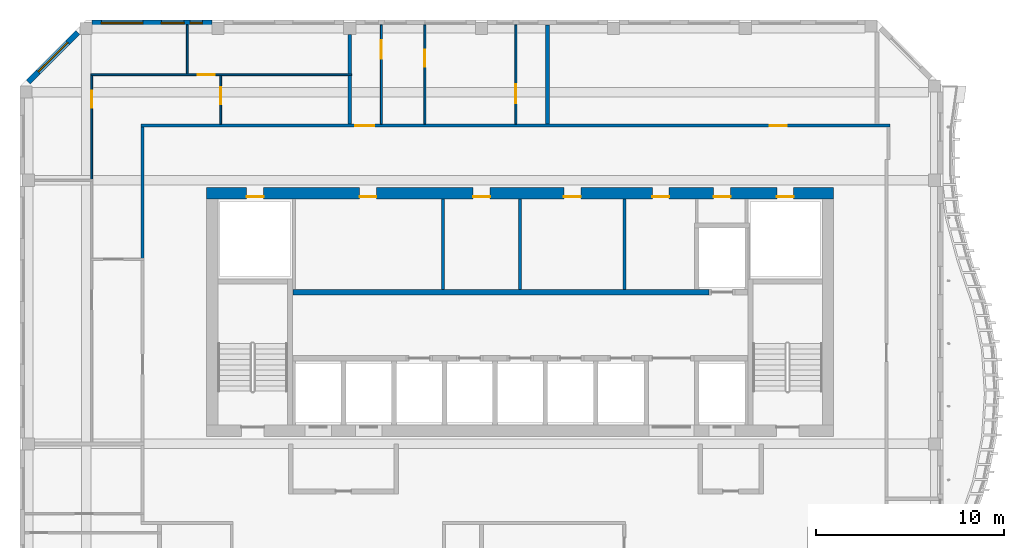
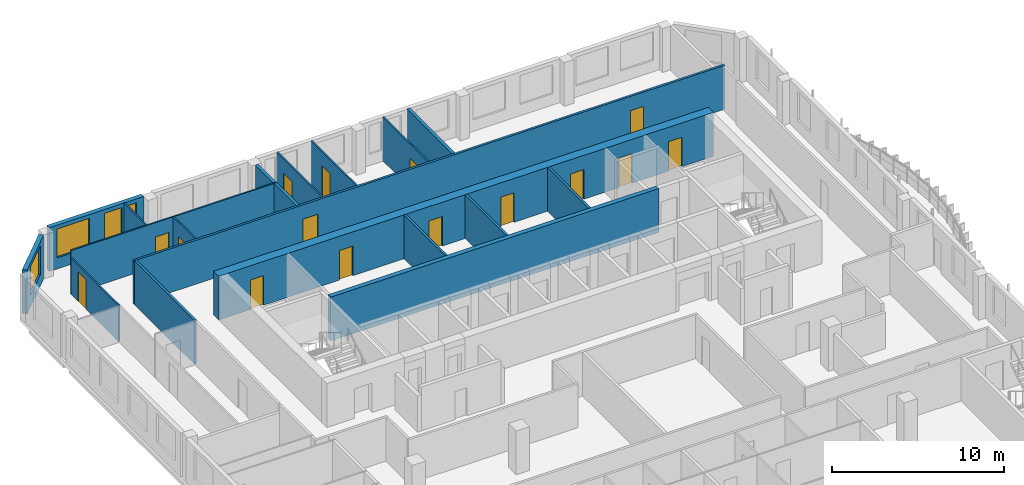
# One storey, part 7 of 18: 19 walls, 15 doors, 4 windows, 19 openings.
"""IFC4 building model written with IfcOpenShell, lengths in metres."""

from ifc_helpers import new_model, si_unit, direction, frame, frame_2d, origin, place, context, subcontext, project, spatial, rectangle, extrude, source, transform, mapped, material, layer, layer_set, type_object, element, fill, save


model = new_model("IFC4")

# Units and contexts
model_context = context("Model", 3, precision=1e-05, world=origin(), true_north=direction((0.0, 1.0)))
body_context = subcontext(model_context, "Body", "Model", "MODEL_VIEW")
ifc_project = project(units=[si_unit("LENGTHUNIT", "METRE"), si_unit("AREAUNIT", "SQUARE_METRE"), si_unit("VOLUMEUNIT", "CUBIC_METRE"), si_unit("PLANEANGLEUNIT", "RADIAN"), si_unit("MASSUNIT", "GRAM", prefix="KILO")], contexts=[model_context])

# Site, building, storey
site_placement = place(None, origin())
site = spatial("IfcSite", under=ifc_project, at=site_placement, CompositionType="ELEMENT")
building_placement = place(site_placement, origin())
building = spatial("IfcBuilding", under=site, at=building_placement, Name="Kilnfold Tower and Market Hall", CompositionType="ELEMENT")
storey_placement = place(building_placement, frame((0.0, 0.0, 280.60009765625)))
storey = spatial("IfcBuildingStorey", under=building, at=storey_placement, Name="L69", CompositionType="ELEMENT", Elevation=280.60009765625)

# Wall
ifc_material_1 = material(Name="Gypsum board on steel studs", Category="steel")
ifc_layer_1 = layer(ifc_material_1, 0.14990234375)
ifc_layer_set_1 = layer_set([ifc_layer_1], Name="Gypsum board on steel studs")
wall_type_1 = type_object("IfcWallType", Name="WALL CORRIDOR 150", PredefinedType="PARTITIONING", material=ifc_layer_set_1)
wall_1_placement = place(storey_placement, frame((-19.0, 17.840087890625, 0.0), z_axis=(0.0, 0.0, 1.0), x_axis=(0.0, 1.0, 0.0)))
element("IfcWall", 1, at=wall_1_placement, inside=storey, type_object=wall_type_1, Name="Partition LY42.21", PredefinedType="PARTITIONING", context=body_context, shape_type="SweptSolid", body=[
    extrude(rectangle(XDim=6.98486328125, YDim=0.14990234375, at=frame_2d((3.492431640625, 0.0))), origin(), (0.0, 0.0, 1.0), 3.119873046875),
])

# Wall, openings, doors
wall_2_placement = place(storey_placement, frame((-19.074951171875, 24.89990234375, 0.0), z_axis=(0.0, 0.0, 1.0), x_axis=(1.0, 0.0, 0.0)))
wall_2 = element("IfcWall", 2, at=wall_2_placement, inside=storey, type_object=wall_type_1, Name="Partition LY42.22", PredefinedType="PARTITIONING", context=body_context, shape_type="SweptSolid", body=[
    extrude(rectangle(XDim=39.75, YDim=0.14990234375, at=frame_2d((19.875, 0.0))), origin(), (0.0, 0.0, 1.0), 3.119873046875),
])
opening_1_placement = place(wall_2_placement, frame((11.364990234375, 0.0, 0.0)))
opening_1 = element("IfcOpeningElement", 3, at=opening_1_placement, cuts=wall_2, Name="Opening D1", PredefinedType="OPENING", context=body_context, shape_type="SweptSolid", body=[
    extrude(rectangle(XDim=1.0, YDim=2.10009765625, at=frame_2d((0.5, 1.050048828125))), frame((0.0, 0.0849609375, 0.0), z_axis=(0.0, -1.0, 0.0), x_axis=(1.0, 0.0, 0.0)), (0.0, 0.0, 1.0), 0.169921875),
])
opening_2_placement = place(wall_2_placement, frame((33.37890625, 0.0, 0.0)))
opening_2 = element("IfcOpeningElement", 4, at=opening_2_placement, cuts=wall_2, Name="Opening D2", PredefinedType="OPENING", context=body_context, shape_type="SweptSolid", body=[
    extrude(rectangle(XDim=0.89990234375, YDim=2.10009765625, at=frame_2d((0.449951171875, 1.050048828125))), frame((0.0, 0.0849609375, 0.0), z_axis=(0.0, -1.0, 0.0), x_axis=(1.0, 0.0, 0.0)), (0.0, 0.0, 1.0), 0.169921875),
])
ifc_material_2 = material(Name="Timber veneer door leaf in steel frame", Category="steel")
door_type_1 = type_object("IfcDoorType", Name="DOOR ENTRY 1000 X2100", OperationType="NOTDEFINED", PredefinedType="DOOR", material=ifc_material_2)
door_1_placement = place(opening_1_placement, origin())
door_1 = element("IfcDoor", 5, at=door_1_placement, inside=storey, type_object=door_type_1, Name="Door D1", OperationType="SINGLE_SWING_LEFT", OverallHeight=2.10009765625, OverallWidth=1.0, PredefinedType="DOOR", context=body_context, shape_type="SweptSolid", body=[
    extrude(rectangle(XDim=1.0, YDim=2.10009765625, at=frame_2d((0.5, 1.050048828125))), frame((0.0, 0.02490234375, 0.0), z_axis=(0.0, -1.0, 0.0), x_axis=(1.0, 0.0, 0.0)), (0.0, 0.0, 1.0), 0.050048828125),
])
fill(opening_1, door_1)
ifc_material_3 = material(Name="Timber veneer door leaf in steel frame", Category="steel")
door_type_2 = type_object("IfcDoorType", Name="DOOR ROOM 900 X2100", OperationType="NOTDEFINED", PredefinedType="DOOR", material=ifc_material_3)
door_2_placement = place(opening_2_placement, origin())
door_2 = element("IfcDoor", 6, at=door_2_placement, inside=storey, type_object=door_type_2, Name="Door D2", OperationType="SINGLE_SWING_LEFT", OverallHeight=2.10009765625, OverallWidth=0.89990234375, PredefinedType="DOOR", context=body_context, shape_type="SweptSolid", body=[
    extrude(rectangle(XDim=0.89990234375, YDim=2.10009765625, at=frame_2d((0.449951171875, 1.050048828125))), frame((0.0, 0.02490234375, 0.0), z_axis=(0.0, -1.0, 0.0), x_axis=(1.0, 0.0, 0.0)), (0.0, 0.0, 1.0), 0.050048828125),
])
fill(opening_2, door_2)

# Wall, opening, door
ifc_material_4 = material(Name="Gypsum board on steel studs", Category="steel")
ifc_layer_2 = layer(ifc_material_4, 0.10009765625)
ifc_layer_set_2 = layer_set([ifc_layer_2], Name="Gypsum board on steel studs")
wall_type_2 = type_object("IfcWallType", Name="WALL PARTITION 100", PredefinedType="PARTITIONING", material=ifc_layer_set_2)
wall_3_placement = place(storey_placement, frame((-6.320068359375, 24.97705078125, 0.0), z_axis=(0.0, 0.0, 1.0), x_axis=(0.0, 1.0, 0.0)))
wall_3 = element("IfcWall", 7, at=wall_3_placement, inside=storey, type_object=wall_type_2, Name="Partition LY42.66", PredefinedType="PARTITIONING", context=body_context, shape_type="SweptSolid", body=[
    extrude(rectangle(XDim=5.27294921875, YDim=0.10009765625, at=frame_2d((2.636474609375, 0.0))), origin(), (0.0, 0.0, 1.0), 3.119873046875),
])
opening_3_placement = place(wall_3_placement, frame((3.4609375, 0.0, 0.0)))
opening_3 = element("IfcOpeningElement", 8, at=opening_3_placement, cuts=wall_3, Name="Opening D1", PredefinedType="OPENING", context=body_context, shape_type="SweptSolid", body=[
    extrude(rectangle(XDim=1.0, YDim=2.10009765625, at=frame_2d((0.5, 1.050048828125))), frame((0.0, 0.06005859375, 0.0), z_axis=(0.0, -1.0, 0.0), x_axis=(1.0, 0.0, 0.0)), (0.0, 0.0, 1.0), 0.1201171875),
])
door_3_placement = place(opening_3_placement, origin())
door_3 = element("IfcDoor", 9, at=door_3_placement, inside=storey, type_object=door_type_1, Name="Door D1", OperationType="SINGLE_SWING_LEFT", OverallHeight=2.10009765625, OverallWidth=1.0, PredefinedType="DOOR", context=body_context, shape_type="SweptSolid", body=[
    extrude(rectangle(XDim=1.0, YDim=2.10009765625, at=frame_2d((0.5, 1.050048828125))), frame((0.0, 0.02490234375, 0.0), z_axis=(0.0, -1.0, 0.0), x_axis=(1.0, 0.0, 0.0)), (0.0, 0.0, 1.0), 0.050048828125),
])
fill(opening_3, door_3)

wall_4_placement = place(storey_placement, frame((-4.010009765625, 24.97705078125, 0.0), z_axis=(0.0, 0.0, 1.0), x_axis=(0.0, 1.0, 0.0)))
wall_4 = element("IfcWall", 10, at=wall_4_placement, inside=storey, type_object=wall_type_2, Name="Partition LY42.69", PredefinedType="PARTITIONING", context=body_context, shape_type="SweptSolid", body=[
    extrude(rectangle(XDim=5.27294921875, YDim=0.10009765625, at=frame_2d((2.636474609375, 0.0))), origin(), (0.0, 0.0, 1.0), 3.119873046875),
])
opening_4_placement = place(wall_4_placement, frame((3.052001953125, 0.0, 0.0)))
opening_4 = element("IfcOpeningElement", 11, at=opening_4_placement, cuts=wall_4, Name="Opening D2", PredefinedType="OPENING", context=body_context, shape_type="SweptSolid", body=[
    extrude(rectangle(XDim=0.89990234375, YDim=2.10009765625, at=frame_2d((0.449951171875, 1.050048828125))), frame((0.0, 0.06005859375, 0.0), z_axis=(0.0, -1.0, 0.0), x_axis=(1.0, 0.0, 0.0)), (0.0, 0.0, 1.0), 0.1201171875),
])
door_4_placement = place(opening_4_placement, origin())
door_4 = element("IfcDoor", 12, at=door_4_placement, inside=storey, type_object=door_type_2, Name="Door D2", OperationType="SINGLE_SWING_LEFT", OverallHeight=2.10009765625, OverallWidth=0.89990234375, PredefinedType="DOOR", context=body_context, shape_type="SweptSolid", body=[
    extrude(rectangle(XDim=0.89990234375, YDim=2.10009765625, at=frame_2d((0.449951171875, 1.050048828125))), frame((0.0, 0.02490234375, 0.0), z_axis=(0.0, -1.0, 0.0), x_axis=(1.0, 0.0, 0.0)), (0.0, 0.0, 1.0), 0.050048828125),
])
fill(opening_4, door_4)

wall_5_placement = place(storey_placement, frame((0.820068359375, 24.97705078125, 0.0), z_axis=(0.0, 0.0, 1.0), x_axis=(0.0, 1.0, 0.0)))
wall_5 = element("IfcWall", 13, at=wall_5_placement, inside=storey, type_object=wall_type_2, Name="Partition LY42.70", PredefinedType="PARTITIONING", context=body_context, shape_type="SweptSolid", body=[
    extrude(rectangle(XDim=5.27294921875, YDim=0.10009765625, at=frame_2d((2.636474609375, 0.0))), origin(), (0.0, 0.0, 1.0), 3.119873046875),
])
opening_5_placement = place(wall_5_placement, frame((1.116943359375, 0.0, 0.0)))
opening_5 = element("IfcOpeningElement", 14, at=opening_5_placement, cuts=wall_5, Name="Opening D1", PredefinedType="OPENING", context=body_context, shape_type="SweptSolid", body=[
    extrude(rectangle(XDim=1.0, YDim=2.10009765625, at=frame_2d((0.5, 1.050048828125))), frame((0.0, 0.06005859375, 0.0), z_axis=(0.0, -1.0, 0.0), x_axis=(1.0, 0.0, 0.0)), (0.0, 0.0, 1.0), 0.1201171875),
])
door_5_placement = place(opening_5_placement, origin())
door_5 = element("IfcDoor", 15, at=door_5_placement, inside=storey, type_object=door_type_1, Name="Door D1", OperationType="SINGLE_SWING_RIGHT", OverallHeight=2.10009765625, OverallWidth=1.0, PredefinedType="DOOR", context=body_context, shape_type="SweptSolid", body=[
    extrude(rectangle(XDim=1.0, YDim=2.10009765625, at=frame_2d((0.5, 1.050048828125))), frame((0.0, 0.02490234375, 0.0), z_axis=(0.0, -1.0, 0.0), x_axis=(1.0, 0.0, 0.0)), (0.0, 0.0, 1.0), 0.050048828125),
])
fill(opening_5, door_5)

wall_6_placement = place(storey_placement, frame((-14.85009765625, 24.97705078125, 0.0), z_axis=(0.0, 0.0, 1.0), x_axis=(0.0, 1.0, 0.0)))
wall_6 = element("IfcWall", 16, at=wall_6_placement, inside=storey, type_object=wall_type_2, Name="Partition LY42.73", PredefinedType="PARTITIONING", context=body_context, shape_type="SweptSolid", body=[
    extrude(rectangle(XDim=2.572998046875, YDim=0.10009765625, at=frame_2d((1.28662109375, 0.0))), origin(), (0.0, 0.0, 1.0), 3.119873046875),
])
opening_6_placement = place(wall_6_placement, frame((1.049072265625, 0.0, 0.0)))
opening_6 = element("IfcOpeningElement", 17, at=opening_6_placement, cuts=wall_6, Name="Opening D2", PredefinedType="OPENING", context=body_context, shape_type="SweptSolid", body=[
    extrude(rectangle(XDim=0.89990234375, YDim=2.10009765625, at=frame_2d((0.449951171875, 1.050048828125))), frame((0.0, 0.06005859375, 0.0), z_axis=(0.0, -1.0, 0.0), x_axis=(1.0, 0.0, 0.0)), (0.0, 0.0, 1.0), 0.1201171875),
])
door_6_placement = place(opening_6_placement, origin())
door_6 = element("IfcDoor", 18, at=door_6_placement, inside=storey, type_object=door_type_2, Name="Door D2", OperationType="SINGLE_SWING_LEFT", OverallHeight=2.10009765625, OverallWidth=0.89990234375, PredefinedType="DOOR", context=body_context, shape_type="SweptSolid", body=[
    extrude(rectangle(XDim=0.89990234375, YDim=2.10009765625, at=frame_2d((0.449951171875, 1.050048828125))), frame((0.0, 0.02490234375, 0.0), z_axis=(0.0, -1.0, 0.0), x_axis=(1.0, 0.0, 0.0)), (0.0, 0.0, 1.0), 0.050048828125),
])
fill(opening_6, door_6)

wall_7_placement = place(storey_placement, frame((-21.699951171875, 22.0400390625, 0.0), z_axis=(0.0, 0.0, 1.0), x_axis=(0.0, 1.0, 0.0)))
wall_7 = element("IfcWall", 19, at=wall_7_placement, inside=storey, type_object=wall_type_2, Name="Partition LY42.75", PredefinedType="PARTITIONING", context=body_context, shape_type="SweptSolid", body=[
    extrude(rectangle(XDim=5.510009765625, YDim=0.10009765625, at=frame_2d((2.7548828125, 0.0))), origin(), (0.0, 0.0, 1.0), 2.56982421875),
])
opening_7_placement = place(wall_7_placement, frame((3.80908203125, 0.0, 0.0)))
opening_7 = element("IfcOpeningElement", 20, at=opening_7_placement, cuts=wall_7, Name="Opening D2", PredefinedType="OPENING", context=body_context, shape_type="SweptSolid", body=[
    extrude(rectangle(XDim=0.89990234375, YDim=2.10009765625, at=frame_2d((0.449951171875, 1.050048828125))), frame((0.0, 0.06005859375, 0.0), z_axis=(0.0, -1.0, 0.0), x_axis=(1.0, 0.0, 0.0)), (0.0, 0.0, 1.0), 0.1201171875),
])
door_7_placement = place(opening_7_placement, origin())
door_7 = element("IfcDoor", 21, at=door_7_placement, inside=storey, type_object=door_type_2, Name="Door D2", OperationType="SINGLE_SWING_LEFT", OverallHeight=2.10009765625, OverallWidth=0.89990234375, PredefinedType="DOOR", context=body_context, shape_type="SweptSolid", body=[
    extrude(rectangle(XDim=0.89990234375, YDim=2.10009765625, at=frame_2d((0.449951171875, 1.050048828125))), frame((0.0, 0.02490234375, 0.0), z_axis=(0.0, -1.0, 0.0), x_axis=(1.0, 0.0, 0.0)), (0.0, 0.0, 1.0), 0.050048828125),
])
fill(opening_7, door_7)

wall_8_placement = place(storey_placement, frame((-21.75, 27.60009765625, 0.0), z_axis=(0.0, 0.0, 1.0), x_axis=(1.0, 0.0, 0.0)))
wall_8 = element("IfcWall", 22, at=wall_8_placement, inside=storey, type_object=wall_type_2, Name="Partition LY42.76", PredefinedType="PARTITIONING", context=body_context, shape_type="SweptSolid", body=[
    extrude(rectangle(XDim=13.85009765625, YDim=0.10009765625, at=frame_2d((6.925048828125, 0.0))), origin(), (0.0, 0.0, 1.0), 3.119873046875),
])
opening_8_placement = place(wall_8_placement, frame((5.678955078125, 0.0, 0.0)))
opening_8 = element("IfcOpeningElement", 23, at=opening_8_placement, cuts=wall_8, Name="Opening D2", PredefinedType="OPENING", context=body_context, shape_type="SweptSolid", body=[
    extrude(rectangle(XDim=0.89990234375, YDim=2.10009765625, at=frame_2d((0.449951171875, 1.050048828125))), frame((0.0, 0.06005859375, 0.0), z_axis=(0.0, -1.0, 0.0), x_axis=(1.0, 0.0, 0.0)), (0.0, 0.0, 1.0), 0.1201171875),
])
door_8_placement = place(opening_8_placement, origin())
door_8 = element("IfcDoor", 24, at=door_8_placement, inside=storey, type_object=door_type_2, Name="Door D2", OperationType="SINGLE_SWING_RIGHT", OverallHeight=2.10009765625, OverallWidth=0.89990234375, PredefinedType="DOOR", context=body_context, shape_type="SweptSolid", body=[
    extrude(rectangle(XDim=0.89990234375, YDim=2.10009765625, at=frame_2d((0.449951171875, 1.050048828125))), frame((0.0, 0.02490234375, 0.0), z_axis=(0.0, -1.0, 0.0), x_axis=(1.0, 0.0, 0.0)), (0.0, 0.0, 1.0), 0.050048828125),
])
fill(opening_8, door_8)

# Walls
wall_9_placement = place(storey_placement, frame((-16.625, 27.652099609375, 0.0), z_axis=(0.0, 0.0, 1.0), x_axis=(0.0, 1.0, 0.0)))
element("IfcWall", 25, at=wall_9_placement, inside=storey, type_object=wall_type_2, Name="Partition LY42.78", PredefinedType="PARTITIONING", context=body_context, shape_type="SweptSolid", body=[
    extrude(rectangle(XDim=2.597900390625, YDim=0.10009765625, at=frame_2d((1.298828125, 0.0))), origin(), (0.0, 0.0, 1.0), 3.119873046875),
])
ifc_material_5 = material(Name="Gypsum board on steel studs", Category="steel")
ifc_layer_3 = layer(ifc_material_5, 0.199951171875)
ifc_layer_set_3 = layer_set([ifc_layer_3], Name="Gypsum board on steel studs")
wall_type_3 = type_object("IfcWallType", Name="WALL PARTY 200", PredefinedType="PARTITIONING", material=ifc_layer_set_3)
wall_10_placement = place(storey_placement, frame((2.5, 30.25, 0.0), z_axis=(0.0, 0.0, 1.0), x_axis=(0.0, -1.0, 0.0)))
element("IfcWall", 26, at=wall_10_placement, inside=storey, type_object=wall_type_3, Name="Partition LY42.65", PredefinedType="PARTITIONING", context=body_context, shape_type="SweptSolid", body=[
    extrude(rectangle(XDim=5.27294921875, YDim=0.199951171875, at=frame_2d((2.636474609375, 0.0))), origin(), (0.0, 0.0, 1.0), 3.119873046875),
])
wall_11_placement = place(storey_placement, frame((-8.0, 24.97705078125, 0.0), z_axis=(0.0, 0.0, 1.0), x_axis=(0.0, 1.0, 0.0)))
element("IfcWall", 27, at=wall_11_placement, inside=storey, type_object=wall_type_3, Name="Partition LY42.67", PredefinedType="PARTITIONING", context=body_context, shape_type="SweptSolid", body=[
    extrude(rectangle(XDim=2.5830078125, YDim=0.199951171875, at=frame_2d((1.29150390625, 0.0))), origin(), (0.0, 0.0, 1.0), 3.119873046875),
])
wall_12_placement = place(storey_placement, frame((-8.0, 27.64208984375, 0.0), z_axis=(0.0, 0.0, 1.0), x_axis=(0.0, 1.0, 0.0)))
element("IfcWall", 28, at=wall_12_placement, inside=storey, type_object=wall_type_3, Name="Partition LY42.68", PredefinedType="PARTITIONING", context=body_context, shape_type="SweptSolid", body=[
    extrude(rectangle(XDim=2.0830078125, YDim=0.199951171875, at=frame_2d((1.04150390625, 0.0))), origin(), (0.0, 0.0, 1.0), 3.119873046875),
])
ifc_material_6 = material(Name="Concrete C50", Category="concrete")
ifc_layer_4 = layer(ifc_material_6, 0.300048828125)
ifc_layer_set_4 = layer_set([ifc_layer_4], Name="Concrete C50")
wall_type_4 = type_object("IfcWallType", Name="CORE WALL 300 C50", PredefinedType="SHEAR", material=ifc_layer_set_4)
shared_shape_1 = source(origin(), body_context, "Body", "SweptSolid", [
    extrude(rectangle(XDim=22.080078125, YDim=0.300048828125, at=frame_2d((11.0400390625, 0.0))), origin(), (0.0, 0.0, 1.0), 3.119873046875),
])
wall_13_placement = place(storey_placement, frame((-11.010009765625, 16.050048828125, 0.0), z_axis=(0.0, 0.0, 1.0), x_axis=(1.0, 0.0, 0.0)))
element("IfcWall", 29, at=wall_13_placement, inside=storey, type_object=wall_type_4, Name="Core spine wall", PredefinedType="SHEAR", context=body_context, shape_type="MappedRepresentation", body=[
    mapped(shared_shape_1, transform((0.0, 0.0, 0.0))),
])

# Wall, openings, doors
ifc_material_7 = material(Name="Concrete C50", Category="concrete")
ifc_layer_5 = layer(ifc_material_7, 0.60009765625)
ifc_layer_set_5 = layer_set([ifc_layer_5], Name="Concrete C50")
wall_type_5 = type_object("IfcWallType", Name="CORE WALL 600 C50", PredefinedType="SHEAR", material=ifc_layer_set_5)
shared_shape_2 = source(origin(), body_context, "Body", "SweptSolid", [
    extrude(rectangle(XDim=33.300048828125, YDim=0.60009765625, at=frame_2d((16.64990234375, 0.0))), origin(), (0.0, 0.0, 1.0), 3.119873046875),
])
wall_14_placement = place(storey_placement, frame((-15.60009765625, 21.300048828125, 0.0), z_axis=(0.0, 0.0, 1.0), x_axis=(1.0, 0.0, 0.0)))
wall_14 = element("IfcWall", 30, at=wall_14_placement, inside=storey, type_object=wall_type_5, Name="Core outer wall north", PredefinedType="SHEAR", context=body_context, shape_type="MappedRepresentation", body=[
    mapped(shared_shape_2, transform((0.0, 0.0, 0.0))),
])
opening_9_placement = place(wall_14_placement, frame((8.119873046875, 0.0, 0.0)))
opening_9 = element("IfcOpeningElement", 31, at=opening_9_placement, cuts=wall_14, Name="Opening KD1", PredefinedType="OPENING", context=body_context, shape_type="SweptSolid", body=[
    extrude(rectangle(XDim=0.89990234375, YDim=2.10009765625, at=frame_2d((0.449951171875, 1.050048828125))), frame((0.0, 0.31005859375, 0.0), z_axis=(0.0, -1.0, 0.0), x_axis=(1.0, 0.0, 0.0)), (0.0, 0.0, 1.0), 0.6201171875),
])
opening_10_placement = place(wall_14_placement, frame((14.14990234375, 0.0, 0.0)))
opening_10 = element("IfcOpeningElement", 32, at=opening_10_placement, cuts=wall_14, Name="Opening KD1", PredefinedType="OPENING", context=body_context, shape_type="SweptSolid", body=[
    extrude(rectangle(XDim=0.89990234375, YDim=2.10009765625, at=frame_2d((0.449951171875, 1.050048828125))), frame((0.0, 0.31005859375, 0.0), z_axis=(0.0, -1.0, 0.0), x_axis=(1.0, 0.0, 0.0)), (0.0, 0.0, 1.0), 0.6201171875),
])
opening_11_placement = place(wall_14_placement, frame((18.973876953125, 0.0, 0.0)))
opening_11 = element("IfcOpeningElement", 33, at=opening_11_placement, cuts=wall_14, Name="Opening KD1", PredefinedType="OPENING", context=body_context, shape_type="SweptSolid", body=[
    extrude(rectangle(XDim=0.89990234375, YDim=2.10009765625, at=frame_2d((0.449951171875, 1.050048828125))), frame((0.0, 0.31005859375, 0.0), z_axis=(0.0, -1.0, 0.0), x_axis=(1.0, 0.0, 0.0)), (0.0, 0.0, 1.0), 0.6201171875),
])
opening_12_placement = place(wall_14_placement, frame((23.663818359375, 0.0, 0.0)))
opening_12 = element("IfcOpeningElement", 34, at=opening_12_placement, cuts=wall_14, Name="Opening KD1", PredefinedType="OPENING", context=body_context, shape_type="SweptSolid", body=[
    extrude(rectangle(XDim=0.89990234375, YDim=2.10009765625, at=frame_2d((0.449951171875, 1.050048828125))), frame((0.0, 0.31005859375, 0.0), z_axis=(0.0, -1.0, 0.0), x_axis=(1.0, 0.0, 0.0)), (0.0, 0.0, 1.0), 0.6201171875),
])
opening_13_placement = place(wall_14_placement, frame((26.919921875, 0.0, 0.0)))
opening_13 = element("IfcOpeningElement", 35, at=opening_13_placement, cuts=wall_14, Name="Opening KD1", PredefinedType="OPENING", context=body_context, shape_type="SweptSolid", body=[
    extrude(rectangle(XDim=0.89990234375, YDim=2.10009765625, at=frame_2d((0.449951171875, 1.050048828125))), frame((0.0, 0.31005859375, 0.0), z_axis=(0.0, -1.0, 0.0), x_axis=(1.0, 0.0, 0.0)), (0.0, 0.0, 1.0), 0.6201171875),
])
opening_14_placement = place(wall_14_placement, frame((2.125, 0.0, 0.0)))
opening_14 = element("IfcOpeningElement", 36, at=opening_14_placement, cuts=wall_14, Name="Opening KD1", PredefinedType="OPENING", context=body_context, shape_type="SweptSolid", body=[
    extrude(rectangle(XDim=0.89990234375, YDim=2.10009765625, at=frame_2d((0.449951171875, 1.050048828125))), frame((0.0, 0.31005859375, 0.0), z_axis=(0.0, -1.0, 0.0), x_axis=(1.0, 0.0, 0.0)), (0.0, 0.0, 1.0), 0.6201171875),
])
opening_15_placement = place(wall_14_placement, frame((30.27490234375, 0.0, 0.0)))
opening_15 = element("IfcOpeningElement", 37, at=opening_15_placement, cuts=wall_14, Name="Opening KD1", PredefinedType="OPENING", context=body_context, shape_type="SweptSolid", body=[
    extrude(rectangle(XDim=0.89990234375, YDim=2.10009765625, at=frame_2d((0.449951171875, 1.050048828125))), frame((0.0, 0.31005859375, 0.0), z_axis=(0.0, -1.0, 0.0), x_axis=(1.0, 0.0, 0.0)), (0.0, 0.0, 1.0), 0.6201171875),
])
ifc_material_8 = material(Name="Steel door set with fire-resisting leaf", Category="steel")
door_type_3 = type_object("IfcDoorType", Name="SERVICE DOOR 900X2100", OperationType="NOTDEFINED", PredefinedType="DOOR", material=ifc_material_8)
door_9_placement = place(opening_9_placement, origin())
door_9 = element("IfcDoor", 38, at=door_9_placement, inside=storey, type_object=door_type_3, Name="Core service door", OperationType="SINGLE_SWING_RIGHT", OverallHeight=2.10009765625, OverallWidth=0.89990234375, PredefinedType="DOOR", context=body_context, shape_type="SweptSolid", body=[
    extrude(rectangle(XDim=0.89990234375, YDim=2.10009765625, at=frame_2d((0.449951171875, 1.050048828125))), frame((0.0, -0.15478515625, 0.0), z_axis=(0.0, -1.0, 0.0), x_axis=(1.0, 0.0, 0.0)), (0.0, 0.0, 1.0), 0.050048828125),
])
fill(opening_9, door_9)
door_10_placement = place(opening_10_placement, origin())
door_10 = element("IfcDoor", 39, at=door_10_placement, inside=storey, type_object=door_type_3, Name="Core service door", OperationType="SINGLE_SWING_LEFT", OverallHeight=2.10009765625, OverallWidth=0.89990234375, PredefinedType="DOOR", context=body_context, shape_type="SweptSolid", body=[
    extrude(rectangle(XDim=0.89990234375, YDim=2.10009765625, at=frame_2d((0.449951171875, 1.050048828125))), frame((0.0, -0.15478515625, 0.0), z_axis=(0.0, -1.0, 0.0), x_axis=(1.0, 0.0, 0.0)), (0.0, 0.0, 1.0), 0.050048828125),
])
fill(opening_10, door_10)
door_11_placement = place(opening_11_placement, origin())
door_11 = element("IfcDoor", 40, at=door_11_placement, inside=storey, type_object=door_type_3, Name="Core service door", OperationType="SINGLE_SWING_RIGHT", OverallHeight=2.10009765625, OverallWidth=0.89990234375, PredefinedType="DOOR", context=body_context, shape_type="SweptSolid", body=[
    extrude(rectangle(XDim=0.89990234375, YDim=2.10009765625, at=frame_2d((0.449951171875, 1.050048828125))), frame((0.0, -0.15478515625, 0.0), z_axis=(0.0, -1.0, 0.0), x_axis=(1.0, 0.0, 0.0)), (0.0, 0.0, 1.0), 0.050048828125),
])
fill(opening_11, door_11)
door_12_placement = place(opening_12_placement, origin())
door_12 = element("IfcDoor", 41, at=door_12_placement, inside=storey, type_object=door_type_3, Name="Core service door", OperationType="SINGLE_SWING_LEFT", OverallHeight=2.10009765625, OverallWidth=0.89990234375, PredefinedType="DOOR", context=body_context, shape_type="SweptSolid", body=[
    extrude(rectangle(XDim=0.89990234375, YDim=2.10009765625, at=frame_2d((0.449951171875, 1.050048828125))), frame((0.0, -0.15478515625, 0.0), z_axis=(0.0, -1.0, 0.0), x_axis=(1.0, 0.0, 0.0)), (0.0, 0.0, 1.0), 0.050048828125),
])
fill(opening_12, door_12)
door_13_placement = place(opening_13_placement, origin())
door_13 = element("IfcDoor", 42, at=door_13_placement, inside=storey, type_object=door_type_3, Name="Core service door", OperationType="SINGLE_SWING_RIGHT", OverallHeight=2.10009765625, OverallWidth=0.89990234375, PredefinedType="DOOR", context=body_context, shape_type="SweptSolid", body=[
    extrude(rectangle(XDim=0.89990234375, YDim=2.10009765625, at=frame_2d((0.449951171875, 1.050048828125))), frame((0.0, -0.15478515625, 0.0), z_axis=(0.0, -1.0, 0.0), x_axis=(1.0, 0.0, 0.0)), (0.0, 0.0, 1.0), 0.050048828125),
])
fill(opening_13, door_13)
door_14_placement = place(opening_14_placement, origin())
door_14 = element("IfcDoor", 43, at=door_14_placement, inside=storey, type_object=door_type_3, Name="Electrical riser access door", OperationType="SINGLE_SWING_LEFT", OverallHeight=2.10009765625, OverallWidth=0.89990234375, PredefinedType="DOOR", context=body_context, shape_type="SweptSolid", body=[
    extrude(rectangle(XDim=0.89990234375, YDim=2.10009765625, at=frame_2d((0.449951171875, 1.050048828125))), frame((0.0, -0.15478515625, 0.0), z_axis=(0.0, -1.0, 0.0), x_axis=(1.0, 0.0, 0.0)), (0.0, 0.0, 1.0), 0.050048828125),
])
fill(opening_14, door_14)
door_15_placement = place(opening_15_placement, origin())
door_15 = element("IfcDoor", 44, at=door_15_placement, inside=storey, type_object=door_type_3, Name="Mechanical riser access door", OperationType="SINGLE_SWING_RIGHT", OverallHeight=2.10009765625, OverallWidth=0.89990234375, PredefinedType="DOOR", context=body_context, shape_type="SweptSolid", body=[
    extrude(rectangle(XDim=0.89990234375, YDim=2.10009765625, at=frame_2d((0.449951171875, 1.050048828125))), frame((0.0, -0.15478515625, 0.0), z_axis=(0.0, -1.0, 0.0), x_axis=(1.0, 0.0, 0.0)), (0.0, 0.0, 1.0), 0.050048828125),
])
fill(opening_15, door_15)

# Wall, openings, windows
ifc_material_9 = material(Name="Precast concrete C50/60", Category="concrete")
ifc_layer_6 = layer(ifc_material_9, 0.300048828125)
ifc_layer_set_6 = layer_set([ifc_layer_6], Name="Precast concrete C50/60")
wall_type_6 = type_object("IfcWallType", Name="PRECAST WALL 300", PredefinedType="SOLIDWALL", material=ifc_layer_set_6)
shared_shape_3 = source(origin(), body_context, "Body", "SweptSolid", [
    extrude(rectangle(XDim=6.35009765625, YDim=0.300048828125, at=frame_2d((3.175048828125, 0.0))), origin(), (0.0, 0.0, 1.0), 3.119873046875),
])
wall_15_placement = place(storey_placement, frame((-15.324951171875, 30.35009765625, 0.0), z_axis=(0.0, 0.0, 1.0), x_axis=(-1.0, 0.0, 0.0)))
wall_15 = element("IfcWall", 45, at=wall_15_placement, inside=storey, type_object=wall_type_6, Name="External wall L69 N", PredefinedType="SOLIDWALL", context=body_context, shape_type="MappedRepresentation", body=[
    mapped(shared_shape_3, transform((0.0, 0.0, 0.0))),
])
opening_16_placement = place(wall_15_placement, frame((0.493896484375, 0.0, 0.800048828125)))
opening_16 = element("IfcOpeningElement", 46, at=opening_16_placement, cuts=wall_15, Name="Opening W3-E", PredefinedType="OPENING", context=body_context, shape_type="SweptSolid", body=[
    extrude(rectangle(XDim=0.64990234375, YDim=2.050048828125, at=frame_2d((0.324951171875, 1.02490234375))), frame((0.0, 0.16015625, 0.0), z_axis=(0.0, -1.0, 0.0), x_axis=(1.0, 0.0, 0.0)), (0.0, 0.0, 1.0), 0.320068359375),
])
opening_17_placement = place(wall_15_placement, frame((3.66259765625, 0.0, 0.800048828125)))
opening_17 = element("IfcOpeningElement", 47, at=opening_17_placement, cuts=wall_15, Name="Opening W3", PredefinedType="OPENING", context=body_context, shape_type="SweptSolid", body=[
    extrude(rectangle(XDim=2.199951171875, YDim=2.050048828125, at=frame_2d((1.10009765625, 1.02490234375))), frame((0.0, 0.16015625, 0.0), z_axis=(0.0, -1.0, 0.0), x_axis=(1.0, 0.0, 0.0)), (0.0, 0.0, 1.0), 0.320068359375),
])
opening_18_placement = place(wall_15_placement, frame((1.46875, 0.0, 0.800048828125)))
opening_18 = element("IfcOpeningElement", 48, at=opening_18_placement, cuts=wall_15, Name="Opening W3-F", PredefinedType="OPENING", context=body_context, shape_type="SweptSolid", body=[
    extrude(rectangle(XDim=1.199951171875, YDim=2.050048828125, at=frame_2d((0.60009765625, 1.02490234375))), frame((0.0, 0.16015625, 0.0), z_axis=(0.0, -1.0, 0.0), x_axis=(1.0, 0.0, 0.0)), (0.0, 0.0, 1.0), 0.320068359375),
])
ifc_material_10 = material(Name="Aluminium frame and double glazing", Category="aluminium")
window_type_1 = type_object("IfcWindowType", Name="WINDOW W3 2200X2050", PartitioningType="SINGLE_PANEL", PredefinedType="WINDOW", material=ifc_material_10)
window_1_placement = place(opening_17_placement, origin())
window_1 = element("IfcWindow", 49, at=window_1_placement, inside=storey, type_object=window_type_1, Name="Window W3 L69 N-2", OverallHeight=2.050048828125, OverallWidth=2.199951171875, PartitioningType="SINGLE_PANEL", PredefinedType="WINDOW", context=body_context, shape_type="SweptSolid", body=[
    extrude(rectangle(XDim=2.199951171875, YDim=2.050048828125, at=frame_2d((1.10009765625, 1.02490234375))), frame((0.0, 0.030029296875, 0.0), z_axis=(0.0, -1.0, 0.0), x_axis=(1.0, 0.0, 0.0)), (0.0, 0.0, 1.0), 0.06005859375),
])
fill(opening_17, window_1)
ifc_material_11 = material(Name="Aluminium frame and double glazing", Category="aluminium")
window_type_2 = type_object("IfcWindowType", Name="WINDOW W3-E 650X2050", PartitioningType="SINGLE_PANEL", PredefinedType="WINDOW", material=ifc_material_11)
window_2_placement = place(opening_16_placement, origin())
window_2 = element("IfcWindow", 50, at=window_2_placement, inside=storey, type_object=window_type_2, Name="Window W3-E L69 N-1", OverallHeight=2.050048828125, OverallWidth=0.64990234375, PartitioningType="SINGLE_PANEL", PredefinedType="WINDOW", context=body_context, shape_type="SweptSolid", body=[
    extrude(rectangle(XDim=0.64990234375, YDim=2.050048828125, at=frame_2d((0.324951171875, 1.02490234375))), frame((0.0, 0.030029296875, 0.0), z_axis=(0.0, -1.0, 0.0), x_axis=(1.0, 0.0, 0.0)), (0.0, 0.0, 1.0), 0.06005859375),
])
fill(opening_16, window_2)
ifc_material_12 = material(Name="Aluminium frame and double glazing", Category="aluminium")
window_type_3 = type_object("IfcWindowType", Name="WINDOW W3-F 1200X2050", PartitioningType="SINGLE_PANEL", PredefinedType="WINDOW", material=ifc_material_12)
window_3_placement = place(opening_18_placement, origin())
window_3 = element("IfcWindow", 51, at=window_3_placement, inside=storey, type_object=window_type_3, Name="Window W3-E L69 N-1", OverallHeight=2.050048828125, OverallWidth=1.199951171875, PartitioningType="SINGLE_PANEL", PredefinedType="WINDOW", context=body_context, shape_type="SweptSolid", body=[
    extrude(rectangle(XDim=1.199951171875, YDim=2.050048828125, at=frame_2d((0.60009765625, 1.02490234375))), frame((0.0, 0.030029296875, 0.0), z_axis=(0.0, -1.0, 0.0), x_axis=(1.0, 0.0, 0.0)), (0.0, 0.0, 1.0), 0.06005859375),
])
fill(opening_18, window_3)

# Wall, opening, window
shared_shape_4 = source(origin(), body_context, "Body", "SweptSolid", [
    extrude(rectangle(XDim=3.71240234375, YDim=0.300048828125, at=frame_2d((1.856201171875, 0.0))), origin(), (0.0, 0.0, 1.0), 3.119873046875),
])
wall_16_placement = place(storey_placement, frame((-22.44384765625, 29.843994140625, 0.0), z_axis=(0.0, 0.0, 1.0), x_axis=(-0.707106781187, -0.707106781187, 0.0)))
wall_16 = element("IfcWall", 52, at=wall_16_placement, inside=storey, type_object=wall_type_6, Name="External wall L69 NW", PredefinedType="SOLIDWALL", context=body_context, shape_type="MappedRepresentation", body=[
    mapped(shared_shape_4, transform((0.0, 0.0, 0.0))),
])
opening_19_placement = place(wall_16_placement, frame((0.756103515625, 0.0, 0.800048828125)))
opening_19 = element("IfcOpeningElement", 53, at=opening_19_placement, cuts=wall_16, Name="Opening W3", PredefinedType="OPENING", context=body_context, shape_type="SweptSolid", body=[
    extrude(rectangle(XDim=2.199951171875, YDim=2.050048828125, at=frame_2d((1.10009765625, 1.02490234375))), frame((0.0, 0.16015625, 0.0), z_axis=(0.0, -1.0, 0.0), x_axis=(1.0, 0.0, 0.0)), (0.0, 0.0, 1.0), 0.320068359375),
])
window_4_placement = place(opening_19_placement, origin())
window_4 = element("IfcWindow", 54, at=window_4_placement, inside=storey, type_object=window_type_1, Name="Window W3 L69 NW-1", OverallHeight=2.050048828125, OverallWidth=2.199951171875, PartitioningType="SINGLE_PANEL", PredefinedType="WINDOW", context=body_context, shape_type="SweptSolid", body=[
    extrude(rectangle(XDim=2.199951171875, YDim=2.050048828125, at=frame_2d((1.10009765625, 1.02490234375))), frame((0.0, 0.030029296875, 0.0), z_axis=(0.0, -1.0, 0.0), x_axis=(1.0, 0.0, 0.0)), (0.0, 0.0, 1.0), 0.06005859375),
])
fill(opening_19, window_4)

# Walls
ifc_material_13 = material(Name="Gypsum shaft wall system")
ifc_layer_7 = layer(ifc_material_13, 0.14990234375)
ifc_layer_set_7 = layer_set([ifc_layer_7], Name="Gypsum shaft wall system")
wall_type_7 = type_object("IfcWallType", Name="ROOM WALL 150", PredefinedType="PARTITIONING", material=ifc_layer_set_7)
shared_shape_5 = source(origin(), body_context, "Body", "SweptSolid", [
    extrude(rectangle(XDim=4.800048828125, YDim=0.14990234375, at=frame_2d((2.39990234375, 0.0))), origin(), (0.0, 0.0, 1.0), 3.119873046875),
])
for number, where, z_axis, x_axis, name in (
    (55, (-3.05029296875, 16.199951171875, 0.0), (0.0, 0.0, 1.0), (0.0, 1.0, 0.0), "Core room wall"),
    (56, (1.050048828125, 16.199951171875, 0.0), (0.0, 0.0, 1.0), (0.0, 1.0, 0.0), "Core room wall"),
    (57, (6.59765625, 16.199951171875, 0.0), (0.0, 0.0, 1.0), (0.0, 1.0, 0.0), "Core room wall"),
):
    element("IfcWall", number, at=place(storey_placement, frame(where, z_axis=z_axis, x_axis=x_axis)), inside=storey, type_object=wall_type_7, Name=name, PredefinedType="PARTITIONING", context=body_context, shape_type="MappedRepresentation", body=[
        mapped(shared_shape_5, transform((0.0, 0.0, 0.0))),
    ])

save(model, "model.ifc")
